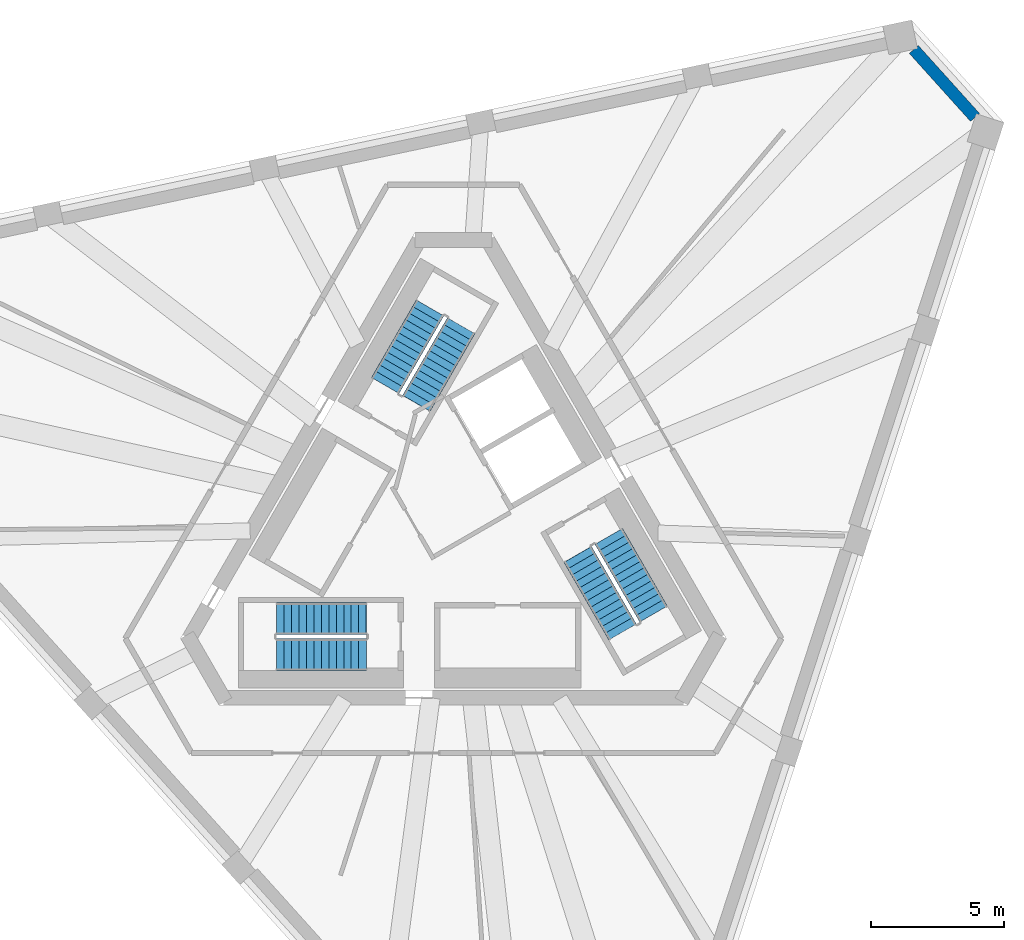
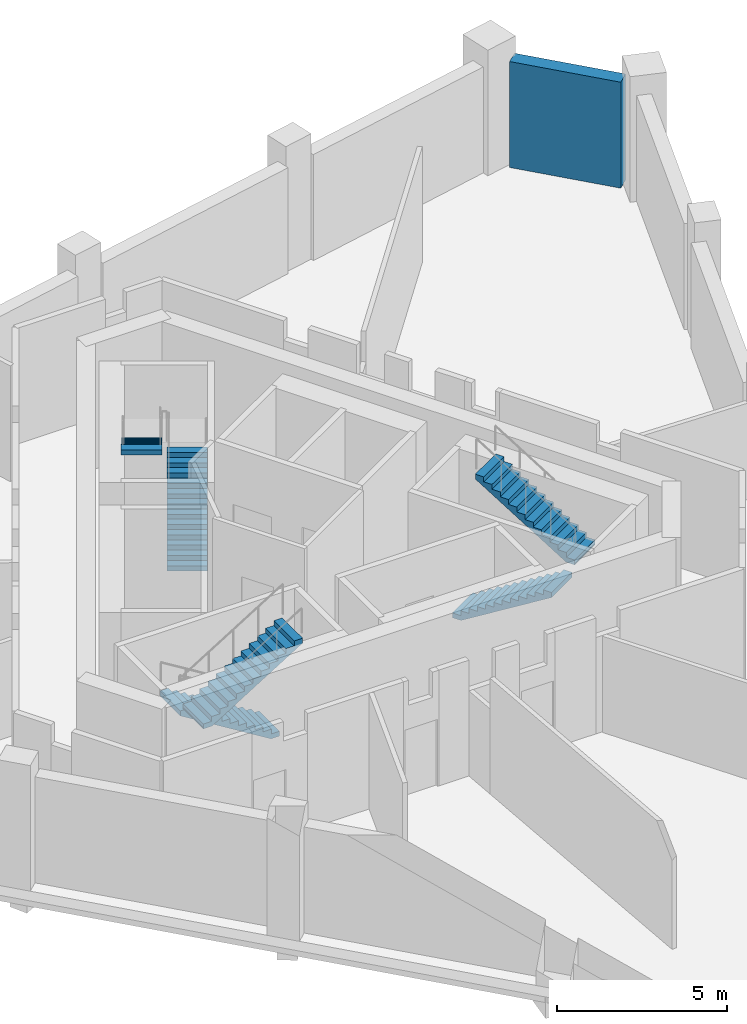
# One storey, part 4 of 5: 6 stair flights, 1 wall, 3 elements without a shape of their own.
"""IFC4 building model written with IfcOpenShell, lengths in metres."""

from ifc_helpers import new_model, si_unit, direction, frame, frame_2d, origin, place, context, subcontext, project, spatial, polyline, rectangle, outline, extrude, material, layer, layer_set, type_object, element, aggregate, save


model = new_model("IFC4")

# Units and contexts
model_context = context("Model", 3, precision=1e-05, world=origin(), true_north=direction((0.0, 1.0)))
body_context = subcontext(model_context, "Body", "Model", "MODEL_VIEW")
ifc_project = project(units=[si_unit("LENGTHUNIT", "METRE"), si_unit("AREAUNIT", "SQUARE_METRE"), si_unit("VOLUMEUNIT", "CUBIC_METRE"), si_unit("PLANEANGLEUNIT", "RADIAN"), si_unit("MASSUNIT", "GRAM", prefix="KILO")], contexts=[model_context])

# Site, building, storey
site_placement = place(None, origin())
site = spatial("IfcSite", under=ifc_project, at=site_placement, CompositionType="ELEMENT")
building_placement = place(site_placement, origin())
building = spatial("IfcBuilding", under=site, at=building_placement, Name="Tramontana Tower", CompositionType="ELEMENT")
storey_placement = place(building_placement, frame((0.0, 0.0, 361.39990234375)))
storey = spatial("IfcBuildingStorey", under=building, at=storey_placement, Name="L83", CompositionType="ELEMENT", Elevation=361.39990234375)

# Wall
ifc_material_1 = material(Name="Precast concrete 60 MPa", Category="concrete")
ifc_layer_1 = layer(ifc_material_1, 0.449951171875)
ifc_layer_set_1 = layer_set([ifc_layer_1], Name="Precast concrete 60 MPa, 450 mm")
wall_type = type_object("IfcWallType", Name="EW1 Stone-faced precast wall 450", PredefinedType="SOLIDWALL", material=ifc_layer_set_1)
wall_placement = place(storey_placement, frame((19.597900390625, 15.334716796875, 0.0), z_axis=(0.0, 0.0, 1.0), x_axis=(-0.669109997009, 0.743163381702, 0.0)))
element("IfcWall", 1, at=wall_placement, inside=storey, type_object=wall_type, Name="Stone band wall L83 face 2k 1", PredefinedType="SOLIDWALL", context=body_context, shape_type="SweptSolid", body=[
    extrude(rectangle(XDim=3.435302734375, YDim=0.449951171875, at=frame_2d((1.7177734375, 0.0))), origin(), (0.0, 0.0, 1.0), 3.800048828125),
])

# Stair, stair flights
ifc_material_2 = material(Name="Concrete 40 MPa", Category="concrete")
stair_type = type_object("IfcStairType", Name="EXIT STAIR 26 RISERS", PredefinedType="HALF_TURN_STAIR", material=ifc_material_2)
stair_1_placement = place(storey_placement, origin())
stair_1 = element("IfcStair", 2, at=stair_1_placement, inside=storey, type_object=stair_type, Name="L83 Exit stair ST1", PredefinedType="HALF_TURN_STAIR")
ifc_material_3 = material(Name="Concrete 40 MPa", Category="concrete")
ifc_layer_2 = layer(ifc_material_3, 0.14990234375)
ifc_layer_set_2 = layer_set([ifc_layer_2], Name="EXIT STAIR FLIGHT")
stair_flight_type = type_object("IfcStairFlightType", Name="EXIT STAIR FLIGHT", PredefinedType="STRAIGHT", material=ifc_layer_set_2)
stair_flight_1_placement = place(storey_placement, frame((-1.39111328125, 4.590576171875, 0.0), z_axis=(0.0, 0.0, 1.0), x_axis=(0.5, 0.866025403784, 0.0)))
stair_flight_1 = element("IfcStairFlight", 3, at=stair_flight_1_placement, type_object=stair_flight_type, Name="ST1 flight 1", NumberOfRisers=13, NumberOfTreads=12, PredefinedType="STRAIGHT", RiserHeight=0.173076923, TreadLength=0.28, context=body_context, shape_type="SweptSolid", body=[
    extrude(outline(polyline([(-0.006103515625, 0.0), (-0.006103515625, 0.0400390625), (0.0, 0.0400390625), (0.0, 0.173095703125), (0.280029296875, 0.173095703125), (0.280029296875, 0.34619140625), (0.56005859375, 0.34619140625), (0.56005859375, 0.519287109375), (0.840087890625, 0.519287109375), (0.840087890625, 0.6923828125), (1.1201171875, 0.6923828125), (1.1201171875, 0.865478515625), (1.39990234375, 0.865478515625), (1.39990234375, 1.03857421875), (1.679931640625, 1.03857421875), (1.679931640625, 1.21142578125), (1.9599609375, 1.21142578125), (1.9599609375, 1.384521484375), (2.239990234375, 1.384521484375), (2.239990234375, 1.5576171875), (2.52001953125, 1.5576171875), (2.52001953125, 1.730712890625), (2.800048828125, 1.730712890625), (2.800048828125, 1.90380859375), (3.080078125, 1.90380859375), (3.080078125, 2.076904296875), (3.360107421875, 2.076904296875), (3.365966796875, 2.076904296875), (3.365966796875, 1.900634765625), (0.291015625, 0.0), (-0.006103515625, 0.0)])), frame((0.0, 0.60009765625, 0.0), z_axis=(0.0, -1.0, 0.0), x_axis=(1.0, 0.0, 0.0)), (0.0, 0.0, 1.0), 1.199951171875),
])
stair_flight_2_placement = place(storey_placement, frame((-0.880126953125, 8.17529296875, 2.25), z_axis=(0.0, 0.0, 1.0), x_axis=(-0.5, -0.866025403784, 0.0)))
stair_flight_2 = element("IfcStairFlight", 4, at=stair_flight_2_placement, type_object=stair_flight_type, Name="ST1 flight 2", NumberOfRisers=13, NumberOfTreads=12, PredefinedType="STRAIGHT", RiserHeight=0.173076923, TreadLength=0.28, context=body_context, shape_type="SweptSolid", body=[
    extrude(outline(polyline([(-0.006103515625, 0.0), (-0.006103515625, 0.0400390625), (0.0, 0.0400390625), (0.0, 0.173095703125), (0.280029296875, 0.173095703125), (0.280029296875, 0.34619140625), (0.56005859375, 0.34619140625), (0.56005859375, 0.519287109375), (0.840087890625, 0.519287109375), (0.840087890625, 0.6923828125), (1.1201171875, 0.6923828125), (1.1201171875, 0.865478515625), (1.39990234375, 0.865478515625), (1.39990234375, 1.03857421875), (1.679931640625, 1.03857421875), (1.679931640625, 1.21142578125), (1.9599609375, 1.21142578125), (1.9599609375, 1.384521484375), (2.239990234375, 1.384521484375), (2.239990234375, 1.5576171875), (2.52001953125, 1.5576171875), (2.52001953125, 1.730712890625), (2.800048828125, 1.730712890625), (2.800048828125, 1.90380859375), (3.080078125, 1.90380859375), (3.080078125, 2.076904296875), (3.360107421875, 2.076904296875), (3.365966796875, 2.076904296875), (3.365966796875, 1.900634765625), (0.291015625, 0.0), (-0.006103515625, 0.0)])), frame((0.0, 0.60009765625, 0.0), z_axis=(0.0, -1.0, 0.0), x_axis=(1.0, 0.0, 0.0)), (0.0, 0.0, 1.0), 1.199951171875),
])
aggregate(stair_1, [stair_flight_1, stair_flight_2])

stair_2_placement = place(storey_placement, origin())
stair_2 = element("IfcStair", 5, at=stair_2_placement, inside=storey, type_object=stair_type, Name="L83 Exit stair ST2", PredefinedType="HALF_TURN_STAIR")
stair_flight_3_placement = place(storey_placement, frame((-3.280029296875, -3.5, 0.0), z_axis=(0.0, 0.0, 1.0), x_axis=(-1.0, 0.0, 0.0)))
stair_flight_3 = element("IfcStairFlight", 6, at=stair_flight_3_placement, type_object=stair_flight_type, Name="ST2 flight 1", NumberOfRisers=13, NumberOfTreads=12, PredefinedType="STRAIGHT", RiserHeight=0.173076923, TreadLength=0.28, context=body_context, shape_type="SweptSolid", body=[
    extrude(outline(polyline([(-0.006103515625, 0.0), (-0.006103515625, 0.0400390625), (0.0, 0.0400390625), (0.0, 0.173095703125), (0.280029296875, 0.173095703125), (0.280029296875, 0.34619140625), (0.56005859375, 0.34619140625), (0.56005859375, 0.519287109375), (0.840087890625, 0.519287109375), (0.840087890625, 0.6923828125), (1.1201171875, 0.6923828125), (1.1201171875, 0.865478515625), (1.39990234375, 0.865478515625), (1.39990234375, 1.03857421875), (1.679931640625, 1.03857421875), (1.679931640625, 1.21142578125), (1.9599609375, 1.21142578125), (1.9599609375, 1.384521484375), (2.239990234375, 1.384521484375), (2.239990234375, 1.5576171875), (2.52001953125, 1.5576171875), (2.52001953125, 1.730712890625), (2.800048828125, 1.730712890625), (2.800048828125, 1.90380859375), (3.080078125, 1.90380859375), (3.080078125, 2.076904296875), (3.360107421875, 2.076904296875), (3.365966796875, 2.076904296875), (3.365966796875, 1.900634765625), (0.291015625, 0.0), (-0.006103515625, 0.0)])), frame((0.0, 0.60009765625, 0.0), z_axis=(0.0, -1.0, 0.0), x_axis=(1.0, 0.0, 0.0)), (0.0, 0.0, 1.0), 1.199951171875),
])
stair_flight_4_placement = place(storey_placement, frame((-6.639892578125, -4.85009765625, 2.25), z_axis=(0.0, 0.0, 1.0), x_axis=(1.0, 0.0, 0.0)))
stair_flight_4 = element("IfcStairFlight", 7, at=stair_flight_4_placement, type_object=stair_flight_type, Name="ST2 flight 2", NumberOfRisers=13, NumberOfTreads=12, PredefinedType="STRAIGHT", RiserHeight=0.173076923, TreadLength=0.28, context=body_context, shape_type="SweptSolid", body=[
    extrude(outline(polyline([(-0.006103515625, 0.0), (-0.006103515625, 0.0400390625), (0.0, 0.0400390625), (0.0, 0.173095703125), (0.280029296875, 0.173095703125), (0.280029296875, 0.34619140625), (0.56005859375, 0.34619140625), (0.56005859375, 0.519287109375), (0.840087890625, 0.519287109375), (0.840087890625, 0.6923828125), (1.1201171875, 0.6923828125), (1.1201171875, 0.865478515625), (1.39990234375, 0.865478515625), (1.39990234375, 1.03857421875), (1.679931640625, 1.03857421875), (1.679931640625, 1.21142578125), (1.9599609375, 1.21142578125), (1.9599609375, 1.384521484375), (2.239990234375, 1.384521484375), (2.239990234375, 1.5576171875), (2.52001953125, 1.5576171875), (2.52001953125, 1.730712890625), (2.800048828125, 1.730712890625), (2.800048828125, 1.90380859375), (3.080078125, 1.90380859375), (3.080078125, 2.076904296875), (3.360107421875, 2.076904296875), (3.365966796875, 2.076904296875), (3.365966796875, 1.900634765625), (0.291015625, 0.0), (-0.006103515625, 0.0)])), frame((0.0, 0.60009765625, 0.0), z_axis=(0.0, -1.0, 0.0), x_axis=(1.0, 0.0, 0.0)), (0.0, 0.0, 1.0), 1.199951171875),
])
aggregate(stair_2, [stair_flight_3, stair_flight_4])

stair_3_placement = place(storey_placement, origin())
stair_3 = element("IfcStair", 8, at=stair_3_placement, inside=storey, type_object=stair_type, Name="L83 Exit stair ST3", PredefinedType="HALF_TURN_STAIR")
stair_flight_5_placement = place(storey_placement, frame((4.671142578125, -1.090576171875, 0.0), z_axis=(0.0, 0.0, 1.0), x_axis=(0.5, -0.866025403784, 0.0)))
stair_flight_5 = element("IfcStairFlight", 9, at=stair_flight_5_placement, type_object=stair_flight_type, Name="ST3 flight 1", NumberOfRisers=13, NumberOfTreads=12, PredefinedType="STRAIGHT", RiserHeight=0.173076923, TreadLength=0.28, context=body_context, shape_type="SweptSolid", body=[
    extrude(outline(polyline([(-0.006103515625, 0.0), (-0.006103515625, 0.0400390625), (0.0, 0.0400390625), (0.0, 0.173095703125), (0.280029296875, 0.173095703125), (0.280029296875, 0.34619140625), (0.56005859375, 0.34619140625), (0.56005859375, 0.519287109375), (0.840087890625, 0.519287109375), (0.840087890625, 0.6923828125), (1.1201171875, 0.6923828125), (1.1201171875, 0.865478515625), (1.39990234375, 0.865478515625), (1.39990234375, 1.03857421875), (1.679931640625, 1.03857421875), (1.679931640625, 1.21142578125), (1.9599609375, 1.21142578125), (1.9599609375, 1.384521484375), (2.239990234375, 1.384521484375), (2.239990234375, 1.5576171875), (2.52001953125, 1.5576171875), (2.52001953125, 1.730712890625), (2.800048828125, 1.730712890625), (2.800048828125, 1.90380859375), (3.080078125, 1.90380859375), (3.080078125, 2.076904296875), (3.360107421875, 2.076904296875), (3.365966796875, 2.076904296875), (3.365966796875, 1.900634765625), (0.291015625, 0.0), (-0.006103515625, 0.0)])), frame((0.0, 0.60009765625, 0.0), z_axis=(0.0, -1.0, 0.0), x_axis=(1.0, 0.0, 0.0)), (0.0, 0.0, 1.0), 1.199951171875),
])
stair_flight_6_placement = place(storey_placement, frame((7.520263671875, -3.325439453125, 2.25), z_axis=(0.0, 0.0, 1.0), x_axis=(-0.5, 0.866025403784, 0.0)))
stair_flight_6 = element("IfcStairFlight", 10, at=stair_flight_6_placement, type_object=stair_flight_type, Name="ST3 flight 2", NumberOfRisers=13, NumberOfTreads=12, PredefinedType="STRAIGHT", RiserHeight=0.173076923, TreadLength=0.28, context=body_context, shape_type="SweptSolid", body=[
    extrude(outline(polyline([(-0.006103515625, 0.0), (-0.006103515625, 0.0400390625), (0.0, 0.0400390625), (0.0, 0.173095703125), (0.280029296875, 0.173095703125), (0.280029296875, 0.34619140625), (0.56005859375, 0.34619140625), (0.56005859375, 0.519287109375), (0.840087890625, 0.519287109375), (0.840087890625, 0.6923828125), (1.1201171875, 0.6923828125), (1.1201171875, 0.865478515625), (1.39990234375, 0.865478515625), (1.39990234375, 1.03857421875), (1.679931640625, 1.03857421875), (1.679931640625, 1.21142578125), (1.9599609375, 1.21142578125), (1.9599609375, 1.384521484375), (2.239990234375, 1.384521484375), (2.239990234375, 1.5576171875), (2.52001953125, 1.5576171875), (2.52001953125, 1.730712890625), (2.800048828125, 1.730712890625), (2.800048828125, 1.90380859375), (3.080078125, 1.90380859375), (3.080078125, 2.076904296875), (3.360107421875, 2.076904296875), (3.365966796875, 2.076904296875), (3.365966796875, 1.900634765625), (0.291015625, 0.0), (-0.006103515625, 0.0)])), frame((0.0, 0.60009765625, 0.0), z_axis=(0.0, -1.0, 0.0), x_axis=(1.0, 0.0, 0.0)), (0.0, 0.0, 1.0), 1.199951171875),
])
aggregate(stair_3, [stair_flight_5, stair_flight_6])

save(model, "model.ifc")
